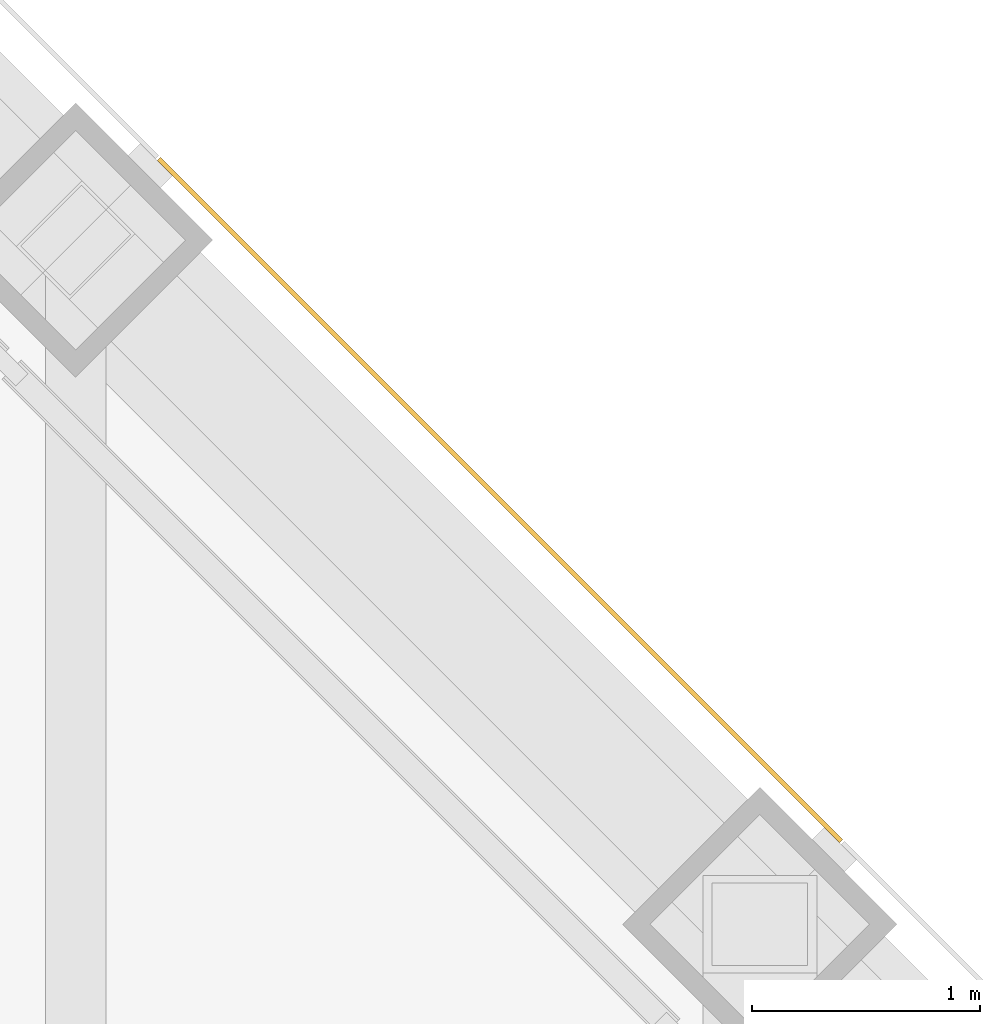
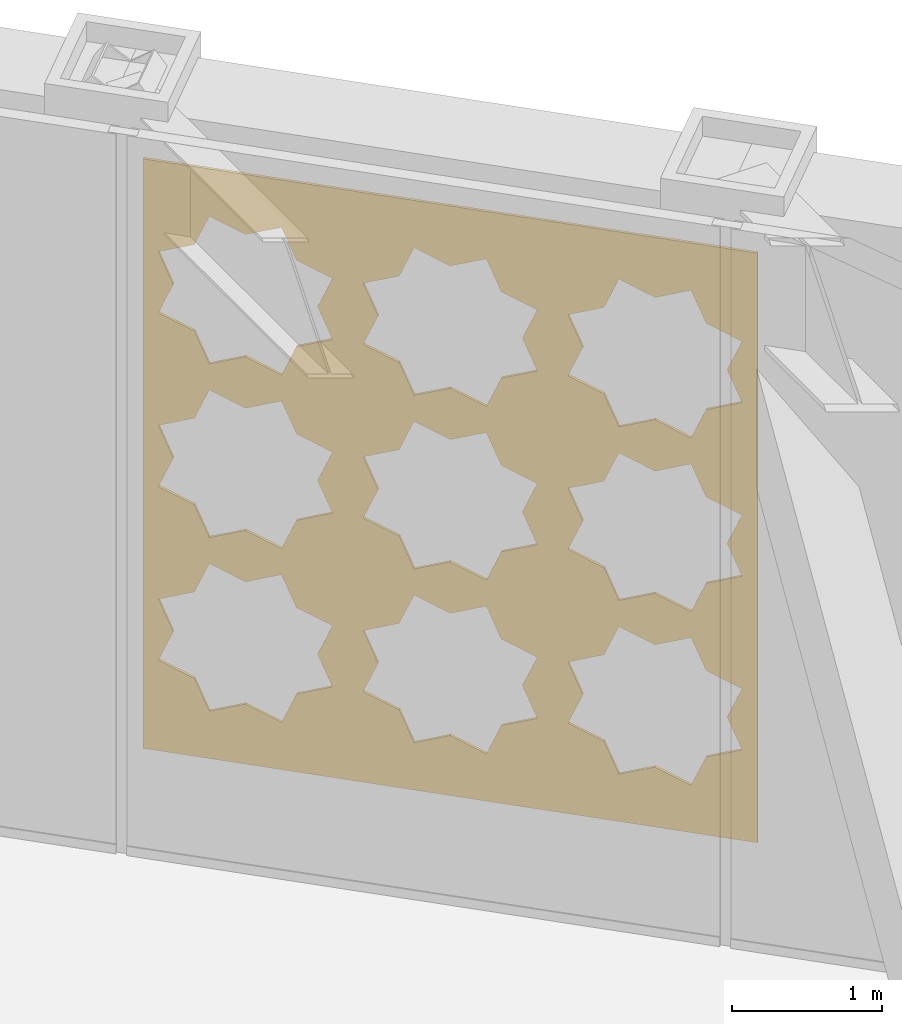
# One storey, part 29 of 29: 1 covering.
"""IFC4 building model written with IfcOpenShell, lengths in metres."""

import ifcopenshell
import ifcopenshell.guid

model = None  # the IFC model being written
_history = None  # IfcOwnerHistory: only IFC2X3 demands one
_inside = {}  # id of a spatial element -> (the spatial element, [elements in it])
_under = {}  # id of a project, library or spatial element -> (it, [spatial elements below it])
_declared = {}  # id of a project -> (the project, [libraries it declares])
_typed = {}  # id of a type object -> (the type object, [elements of that type])
_made_of = {}  # id of a material, layer set ... -> (it, [elements and type objects made of it])


def new_model(schema):
    """Start an empty IFC model of exactly this schema.

    Asked for "IFC4X3", IfcOpenShell would pick the latest addendum, in which some entities
    have other attributes; the version numbers below select the first issue.
    IFC2X3 requires an IfcOwnerHistory on every rooted entity: one is made here for all.
    """
    global model, _history
    if schema == "IFC4X3":
        model = ifcopenshell.file(schema_version=(4, 3, 0, 0))
    else:
        model = ifcopenshell.file(schema=schema)
    _inside.clear()
    _under.clear()
    _declared.clear()
    _typed.clear()
    _made_of.clear()
    _history = None
    if model.schema == "IFC2X3":
        org = make("IfcOrganization", Name="unknown")
        user = make(
            "IfcPersonAndOrganization",
            ThePerson=make("IfcPerson", FamilyName="unknown"),
            TheOrganization=org,
        )
        app = make(
            "IfcApplication",
            ApplicationDeveloper=org,
            Version="unknown",
            ApplicationFullName="unknown",
            ApplicationIdentifier="unknown",
        )
        _history = make(
            "IfcOwnerHistory",
            OwningUser=user,
            OwningApplication=app,
            ChangeAction="ADDED",
            CreationDate=0,
        )
    return model


def make(cls, **values):
    """One entity of the class cls with the attributes given. An attribute that is None is left unset."""
    return model.create_entity(
        cls, **{name: value for name, value in values.items() if value is not None}
    )


def rooted(cls, **values):
    """An entity with a GlobalId (a new one), such as an element, a storey or a relation."""
    return make(cls, GlobalId=ifcopenshell.guid.new(), OwnerHistory=_history, **values)


def si_unit(unit_type, name, prefix=None):
    """IfcSIUnit, for example si_unit("LENGTHUNIT", "METRE", prefix="MILLI")."""
    return make("IfcSIUnit", UnitType=unit_type, Prefix=prefix, Name=name)


def assignment(units):
    """IfcUnitAssignment: the units of a project."""
    return None if units is None else make("IfcUnitAssignment", Units=units)


def point(xyz):
    """IfcCartesianPoint."""
    return None if xyz is None else make("IfcCartesianPoint", Coordinates=xyz)


def direction(xyz):
    """IfcDirection."""
    return None if xyz is None else make("IfcDirection", DirectionRatios=xyz)


def frame(location, z_axis=None, x_axis=None):
    """IfcAxis2Placement3D, a coordinate frame: its origin and axes. An axis left out is left unset."""
    return make(
        "IfcAxis2Placement3D",
        Location=point(location),
        Axis=direction(z_axis),
        RefDirection=direction(x_axis),
    )


def origin():
    """The frame at (0, 0, 0) with its axes left unset."""
    return frame((0.0, 0.0, 0.0))


def place(relative_to, where):
    """IfcLocalPlacement: puts the frame where relative to a parent placement (None: the world)."""
    return make(
        "IfcLocalPlacement", PlacementRelTo=relative_to, RelativePlacement=where
    )


def context(
    kind, dimensions, precision=None, world=None, true_north=None, identifier=None
):
    """IfcGeometricRepresentationContext, for example the 3D "Model" context."""
    return make(
        "IfcGeometricRepresentationContext",
        ContextIdentifier=identifier,
        ContextType=kind,
        CoordinateSpaceDimension=dimensions,
        Precision=precision,
        WorldCoordinateSystem=world,
        TrueNorth=true_north,
    )


def subcontext(parent, identifier, kind, view, scale=None):
    """IfcGeometricRepresentationSubContext, for example "Body" below "Model"."""
    return make(
        "IfcGeometricRepresentationSubContext",
        ContextIdentifier=identifier,
        ContextType=kind,
        ParentContext=parent,
        TargetScale=scale,
        TargetView=view,
    )


def project(units=None, contexts=None):
    """IfcProject with its units and contexts."""
    return rooted(
        "IfcProject",
        Name="project",
        RepresentationContexts=contexts,
        UnitsInContext=assignment(units),
    )


def spatial(cls, under=None, at=None, **own):
    """A site, building, storey or space (cls), placed at a placement, below another one or the project."""
    s = rooted(cls, ObjectPlacement=at, **own)
    if under is not None:
        _under.setdefault(under.id(), (under, []))[1].append(s)
    return s


def polyline(points):
    """IfcPolyline through the points."""
    return make("IfcPolyline", Points=[point(p) for p in points])


def outline(outer, holes=None, kind="AREA"):
    """IfcArbitraryClosedProfileDef: a profile drawn as a closed curve; with holes, ...WithVoids."""
    if holes is None:
        return make("IfcArbitraryClosedProfileDef", ProfileType=kind, OuterCurve=outer)
    return make(
        "IfcArbitraryProfileDefWithVoids",
        ProfileType=kind,
        OuterCurve=outer,
        InnerCurves=holes,
    )


def extrude(swept, where, along, depth):
    """IfcExtrudedAreaSolid: the profile swept, set in the frame where, extruded along a direction by depth."""
    return make(
        "IfcExtrudedAreaSolid",
        SweptArea=swept,
        Position=where,
        ExtrudedDirection=direction(along),
        Depth=depth,
    )


def shape(context_of_items, identifier, shape_type, items):
    """IfcShapeRepresentation: the items that make up one representation, for example the "Body"."""
    return make(
        "IfcShapeRepresentation",
        ContextOfItems=context_of_items,
        RepresentationIdentifier=identifier,
        RepresentationType=shape_type,
        Items=items,
    )


def material(Name=None, Category=None):
    """IfcMaterial."""
    return make("IfcMaterial", Name=Name, Category=Category)


def layer(
    of_material, thickness, ventilated=None, Name=None, Category=None, Priority=None
):
    """IfcMaterialLayer: one layer of a wall or slab, of a material (None: an air gap)."""
    return make(
        "IfcMaterialLayer",
        Material=of_material,
        LayerThickness=thickness,
        IsVentilated=ventilated,
        Name=Name,
        Category=Category,
        Priority=Priority,
    )


def layer_set(layers, Name=None):
    """IfcMaterialLayerSet."""
    return make("IfcMaterialLayerSet", MaterialLayers=layers, LayerSetName=Name)


def made_of(thing, what):
    """Note that an element or type object is made of a material, layer set ...; save() writes the relation."""
    if what is not None:
        _made_of.setdefault(what.id(), (what, []))[1].append(thing)
    return thing


def type_object(cls, material=None, **own):
    """A type object (cls), such as IfcWallType, which elements share."""
    return made_of(rooted(cls, **own), material)


def element(
    cls,
    number,
    at=None,
    inside=None,
    cuts=None,
    type_object=None,
    material=None,
    context=None,
    identifier="Body",
    shape_type=None,
    held_by="IfcProductDefinitionShape",
    body=None,
    shapes=None,
    **own,
):
    """One element of the class cls, such as IfcWall. Its Tag is "e" and its number.

    at: its placement. inside: the storey or other place that contains it. cuts: it is an
    opening in that element (IfcRelVoidsElement). A single representation is given by context,
    identifier, shape_type and body (its items); several are given by shapes. held_by: the class
    of the entity that holds the representations. save() writes the other relations.
    """
    e = rooted(cls, Tag="e%d" % number, ObjectPlacement=at, **own)
    if body is not None:
        shapes = [shape(context, identifier, shape_type, body)]
    if shapes is not None:
        e.Representation = make(held_by, Representations=shapes)
    if inside is not None:
        _inside.setdefault(inside.id(), (inside, []))[1].append(e)
    if cuts is not None:
        rooted(
            "IfcRelVoidsElement", RelatingBuildingElement=cuts, RelatedOpeningElement=e
        )
    if type_object is not None:
        _typed.setdefault(type_object.id(), (type_object, []))[1].append(e)
    return made_of(e, material)


def aggregate(whole, parts):
    """IfcRelAggregates: a whole, such as a stair, and the parts it consists of."""
    return rooted("IfcRelAggregates", RelatingObject=whole, RelatedObjects=parts)


def save(model, path):
    """Write the relations noted so far, then the file.

    IfcRelAggregates (storeys below a building ...), IfcRelContainedInSpatialStructure (elements
    in a storey), IfcRelDefinesByType, IfcRelAssociatesMaterial and IfcRelDeclares: one each for
    every whole, place, type object, material and project.
    """
    for whole, parts in _under.values():
        aggregate(whole, parts)
    for where, things in _inside.values():
        rooted(
            "IfcRelContainedInSpatialStructure",
            RelatedElements=things,
            RelatingStructure=where,
        )
    for kind, things in _typed.values():
        rooted("IfcRelDefinesByType", RelatedObjects=things, RelatingType=kind)
    for what, things in _made_of.values():
        rooted("IfcRelAssociatesMaterial", RelatedObjects=things, RelatingMaterial=what)
    for by, libraries in _declared.values():
        rooted("IfcRelDeclares", RelatingContext=by, RelatedDefinitions=libraries)
    model.write(path)


model = new_model("IFC4")

# Units and contexts
model_context = context("Model", 3, precision=1e-05, world=origin(), true_north=direction((0.0, 1.0)))
body_context = subcontext(model_context, "Body", "Model", "MODEL_VIEW")
ifc_project = project(units=[si_unit("LENGTHUNIT", "METRE"), si_unit("AREAUNIT", "SQUARE_METRE"), si_unit("VOLUMEUNIT", "CUBIC_METRE"), si_unit("PLANEANGLEUNIT", "RADIAN"), si_unit("MASSUNIT", "GRAM", prefix="KILO")], contexts=[model_context])

# Site, building, storey
site_placement = place(None, origin())
site = spatial("IfcSite", under=ifc_project, at=site_placement, CompositionType="ELEMENT")
building_placement = place(site_placement, origin())
building = spatial("IfcBuilding", under=site, at=building_placement, Name="Chuquiago Exchange Tower", CompositionType="ELEMENT")
storey_placement = place(building_placement, frame((0.0, 0.0, 251.699951171875)))
storey = spatial("IfcBuildingStorey", under=building, at=storey_placement, Name="L56", CompositionType="ELEMENT", Elevation=251.699951171875)

# Covering
ifc_material = material(Name="Anodised aluminium, pale", Category="aluminium")
ifc_layer = layer(ifc_material, 0.02001953125)
ifc_layer_set = layer_set([ifc_layer], Name="GC2 girih cladding panel 20")
covering_type = type_object("IfcCoveringType", Name="GC2 girih cladding panel 20", PredefinedType="CLADDING", material=ifc_layer_set)
covering_placement = place(storey_placement, frame((33.35009765625, 39.357177734375, 0.050048828125), z_axis=(0.0, 0.0, 1.0), x_axis=(-0.707106781187, 0.707106781187, 0.0)))
element("IfcCovering", 1, at=covering_placement, inside=storey, type_object=covering_type, Name="Girih cladding panel L56 NE 5", PredefinedType="CLADDING", context=body_context, shape_type="SweptSolid", body=[
    extrude(outline(polyline([(0.0, 0.0), (4.232666015625, 0.0), (4.232666015625, 4.7900390625), (0.0, 4.7900390625), (0.0, 0.0)]), holes=[polyline([(1.2021484375, 0.984130859375), (1.304931640625, 1.232421875), (1.056640625, 1.33544921875), (0.953857421875, 1.583740234375), (0.70556640625, 1.480712890625), (0.45703125, 1.583740234375), (0.354248046875, 1.33544921875), (0.10595703125, 1.232421875), (0.208740234375, 0.984130859375), (0.10595703125, 0.735595703125), (0.354248046875, 0.6328125), (0.45703125, 0.384521484375), (0.705322265625, 0.4873046875), (0.953857421875, 0.384521484375), (1.056640625, 0.6328125), (1.304931640625, 0.735595703125), (1.2021484375, 0.984130859375)]), polyline([(2.613037109375, 0.984130859375), (2.7158203125, 1.232421875), (2.467529296875, 1.33544921875), (2.36474609375, 1.583740234375), (2.116455078125, 1.480712890625), (1.867919921875, 1.583740234375), (1.76513671875, 1.33544921875), (1.516845703125, 1.232421875), (1.61962890625, 0.984130859375), (1.516845703125, 0.735595703125), (1.76513671875, 0.6328125), (1.867919921875, 0.384521484375), (2.116455078125, 0.4873046875), (2.36474609375, 0.384521484375), (2.467529296875, 0.6328125), (2.7158203125, 0.735595703125), (2.613037109375, 0.984130859375)]), polyline([(4.02392578125, 0.984130859375), (4.126708984375, 1.232421875), (3.87841796875, 1.33544921875), (3.775634765625, 1.583740234375), (3.527099609375, 1.480712890625), (3.27880859375, 1.583740234375), (3.176025390625, 1.33544921875), (2.927734375, 1.232421875), (3.030517578125, 0.984130859375), (2.927734375, 0.735595703125), (3.176025390625, 0.6328125), (3.27880859375, 0.384521484375), (3.527099609375, 0.4873046875), (3.775634765625, 0.384521484375), (3.87841796875, 0.6328125), (4.126708984375, 0.735595703125), (4.02392578125, 0.984130859375)]), polyline([(1.2021484375, 2.39501953125), (1.304931640625, 2.643310546875), (1.056640625, 2.746337890625), (0.953857421875, 2.99462890625), (0.70556640625, 2.8916015625), (0.45703125, 2.99462890625), (0.354248046875, 2.746337890625), (0.10595703125, 2.643310546875), (0.208740234375, 2.39501953125), (0.10595703125, 2.146484375), (0.354248046875, 2.043701171875), (0.45703125, 1.79541015625), (0.705322265625, 1.898193359375), (0.953857421875, 1.79541015625), (1.056640625, 2.043701171875), (1.304931640625, 2.146484375), (1.2021484375, 2.39501953125)]), polyline([(2.613037109375, 2.39501953125), (2.7158203125, 2.643310546875), (2.467529296875, 2.746337890625), (2.36474609375, 2.99462890625), (2.116455078125, 2.8916015625), (1.867919921875, 2.99462890625), (1.76513671875, 2.746337890625), (1.516845703125, 2.643310546875), (1.61962890625, 2.39501953125), (1.516845703125, 2.146484375), (1.76513671875, 2.043701171875), (1.867919921875, 1.79541015625), (2.116455078125, 1.898193359375), (2.36474609375, 1.79541015625), (2.467529296875, 2.043701171875), (2.7158203125, 2.146484375), (2.613037109375, 2.39501953125)]), polyline([(4.02392578125, 2.39501953125), (4.126708984375, 2.643310546875), (3.87841796875, 2.746337890625), (3.775634765625, 2.99462890625), (3.527099609375, 2.8916015625), (3.27880859375, 2.99462890625), (3.176025390625, 2.746337890625), (2.927734375, 2.643310546875), (3.030517578125, 2.39501953125), (2.927734375, 2.146484375), (3.176025390625, 2.043701171875), (3.27880859375, 1.79541015625), (3.527099609375, 1.898193359375), (3.775634765625, 1.79541015625), (3.87841796875, 2.043701171875), (4.126708984375, 2.146484375), (4.02392578125, 2.39501953125)]), polyline([(1.2021484375, 3.805908203125), (1.304931640625, 4.05419921875), (1.056640625, 4.1572265625), (0.953857421875, 4.405517578125), (0.70556640625, 4.302490234375), (0.45703125, 4.405517578125), (0.354248046875, 4.1572265625), (0.10595703125, 4.05419921875), (0.208740234375, 3.805908203125), (0.10595703125, 3.5576171875), (0.354248046875, 3.45458984375), (0.45703125, 3.206298828125), (0.705322265625, 3.30908203125), (0.953857421875, 3.206298828125), (1.056640625, 3.45458984375), (1.304931640625, 3.5576171875), (1.2021484375, 3.805908203125)]), polyline([(2.613037109375, 3.805908203125), (2.7158203125, 4.05419921875), (2.467529296875, 4.1572265625), (2.36474609375, 4.405517578125), (2.116455078125, 4.302490234375), (1.867919921875, 4.405517578125), (1.76513671875, 4.1572265625), (1.516845703125, 4.05419921875), (1.61962890625, 3.805908203125), (1.516845703125, 3.5576171875), (1.76513671875, 3.45458984375), (1.867919921875, 3.206298828125), (2.116455078125, 3.30908203125), (2.36474609375, 3.206298828125), (2.467529296875, 3.45458984375), (2.7158203125, 3.5576171875), (2.613037109375, 3.805908203125)]), polyline([(4.02392578125, 3.805908203125), (4.126708984375, 4.05419921875), (3.87841796875, 4.1572265625), (3.775634765625, 4.405517578125), (3.527099609375, 4.302490234375), (3.27880859375, 4.405517578125), (3.176025390625, 4.1572265625), (2.927734375, 4.05419921875), (3.030517578125, 3.805908203125), (2.927734375, 3.5576171875), (3.176025390625, 3.45458984375), (3.27880859375, 3.206298828125), (3.527099609375, 3.30908203125), (3.775634765625, 3.206298828125), (3.87841796875, 3.45458984375), (4.126708984375, 3.5576171875), (4.02392578125, 3.805908203125)])]), frame((0.0, 0.0, 0.0), z_axis=(0.0, -1.0, 0.0), x_axis=(1.0, 0.0, 0.0)), (0.0, 0.0, 1.0), 0.02001953125),
])

save(model, "model.ifc")
